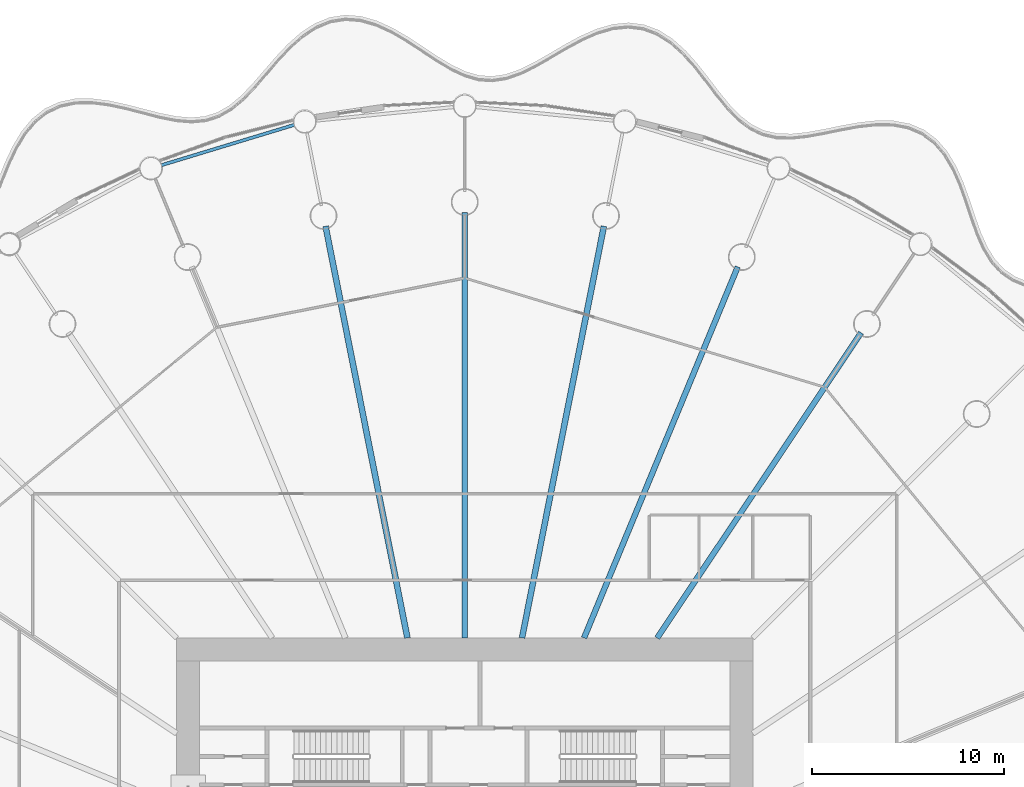
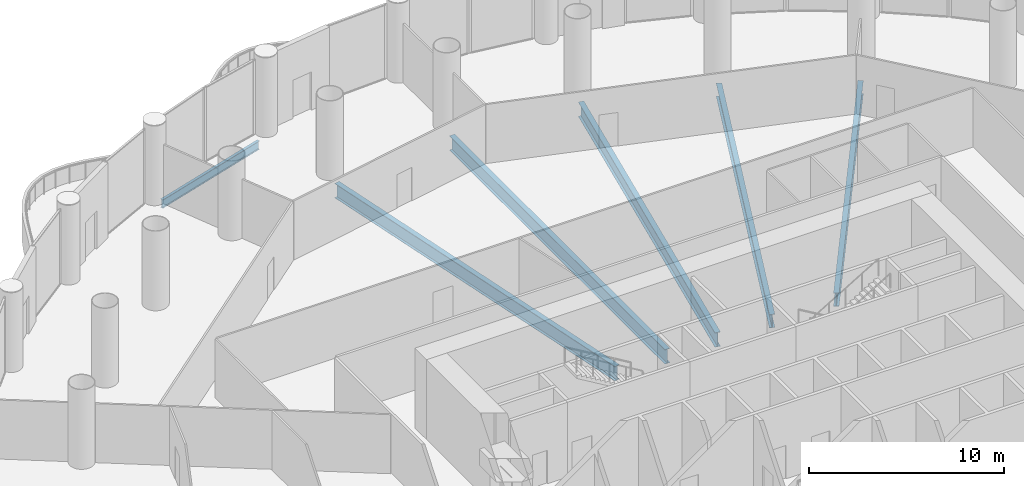
# One storey, part 16 of 38: 6 beams.
"""IFC4 building model written with IfcOpenShell, lengths in metres."""

from ifc_helpers import new_model, si_unit, direction, frame, origin, origin_2d, place, context, subcontext, project, spatial, i_section, extrude, material, material_profile, profile_set, type_object, element, save


model = new_model("IFC4")

# Units and contexts
model_context = context("Model", 3, precision=1e-05, world=origin(), true_north=direction((0.0, 1.0)))
body_context = subcontext(model_context, "Body", "Model", "MODEL_VIEW")
ifc_project = project(units=[si_unit("LENGTHUNIT", "METRE"), si_unit("AREAUNIT", "SQUARE_METRE"), si_unit("VOLUMEUNIT", "CUBIC_METRE"), si_unit("PLANEANGLEUNIT", "RADIAN"), si_unit("MASSUNIT", "GRAM", prefix="KILO")], contexts=[model_context])

# Site, building, storey
site_placement = place(None, origin())
site = spatial("IfcSite", under=ifc_project, at=site_placement, CompositionType="ELEMENT")
building_placement = place(site_placement, origin())
building = spatial("IfcBuilding", under=site, at=building_placement, Name="Corvane Civic Tower", CompositionType="ELEMENT")
storey_placement = place(building_placement, frame((0.0, 0.0, 32.0)))
storey = spatial("IfcBuildingStorey", under=building, at=storey_placement, Name="L06", CompositionType="ELEMENT", Elevation=32.0)

# Beams
ifc_material_1 = material(Name="Steel ASTM A992 Gr 50", Category="steel")
ifc_material_profile_1 = material_profile(ifc_material_1, i_section(OverallWidth=0.165771484375, OverallDepth=0.5283203125, WebThickness=0.009765625, FlangeThickness=0.013671875, at=origin_2d()), Name="W21X50")
ifc_profile_set_1 = profile_set([ifc_material_profile_1], Name="Steel ASTM A992 Gr 50")
beam_type_1 = type_object("IfcBeamType", Name="EDGE BEAM W21X50", PredefinedType="BEAM", material=ifc_profile_set_1)
beam_1_placement = place(storey_placement, frame((-15.814208984375, 39.609375, -0.564208984375), z_axis=(0.956938225664, 0.290291633127, 0.0), x_axis=(-0.290291633127, 0.956938225664, 0.0)))
element("IfcBeam", 1, at=beam_1_placement, inside=storey, type_object=beam_type_1, Name="BM-L06-E31", PredefinedType="BEAM", context=body_context, shape_type="SweptSolid", body=[
    extrude(i_section(OverallWidth=0.165771484375, OverallDepth=0.5283203125, WebThickness=0.009765625, FlangeThickness=0.013671875, at=origin_2d()), origin(), (0.0, 0.0, 1.0), 7.2705078125),
])
ifc_material_2 = material(Name="Steel ASTM A992 Gr 50", Category="steel")
ifc_material_profile_2 = material_profile(ifc_material_2, i_section(OverallWidth=0.2919921875, OverallDepth=0.845703125, WebThickness=0.015380859375, FlangeThickness=0.0244140625, at=origin_2d()), Name="W33X141")
ifc_profile_set_2 = profile_set([ifc_material_profile_2], Name="Steel ASTM A992 Gr 50")
beam_type_2 = type_object("IfcBeamType", Name="FLOOR GIRDER W33X141", PredefinedType="BEAM", material=ifc_profile_set_2)
beam_2_placement = place(storey_placement, frame((6.213134765625, 15.0, -0.722900390625), z_axis=(0.382692360381, 0.923875834355, 0.0), x_axis=(-0.923875834355, 0.382692360381, 0.0)))
element("IfcBeam", 2, at=beam_2_placement, inside=storey, type_object=beam_type_2, Name="BM-L06-G03", PredefinedType="BEAM", context=body_context, shape_type="SweptSolid", body=[
    extrude(i_section(OverallWidth=0.2919921875, OverallDepth=0.845703125, WebThickness=0.015380859375, FlangeThickness=0.0244140625, at=origin_2d()), origin(), (0.0, 0.0, 1.0), 20.9140625),
])
beam_3_placement = place(storey_placement, frame((10.022705078125, 15.0, -0.722900390625), z_axis=(0.555566681385, 0.831471985418, 0.0), x_axis=(-0.831471985418, 0.555566681385, 0.0)))
element("IfcBeam", 3, at=beam_3_placement, inside=storey, type_object=beam_type_2, Name="BM-L06-G04", PredefinedType="BEAM", context=body_context, shape_type="SweptSolid", body=[
    extrude(i_section(OverallWidth=0.2919921875, OverallDepth=0.845703125, WebThickness=0.015380859375, FlangeThickness=0.0244140625, at=origin_2d()), origin(), (0.0, 0.0, 1.0), 19.109619140625),
])
ifc_material_3 = material(Name="Steel ASTM A992 Gr 50", Category="steel")
ifc_material_profile_3 = material_profile(ifc_material_3, i_section(OverallWidth=0.3046875, OverallDepth=0.911865234375, WebThickness=0.015869140625, FlangeThickness=0.02392578125, at=origin_2d()), Name="W36X150")
ifc_profile_set_3 = profile_set([ifc_material_profile_3], Name="Steel ASTM A992 Gr 50")
beam_type_3 = type_object("IfcBeamType", Name="FLOOR GIRDER W36X150", PredefinedType="BEAM", material=ifc_profile_set_3)
beam_4_placement = place(storey_placement, frame((0.0, 15.0, -0.755859375), z_axis=(0.0, 1.0, 0.0), x_axis=(-1.0, 0.0, 0.0)))
element("IfcBeam", 4, at=beam_4_placement, inside=storey, type_object=beam_type_3, Name="BM-L06-G01", PredefinedType="BEAM", context=body_context, shape_type="SweptSolid", body=[
    extrude(i_section(OverallWidth=0.3046875, OverallDepth=0.911865234375, WebThickness=0.015869140625, FlangeThickness=0.02392578125, at=origin_2d()), origin(), (0.0, 0.0, 1.0), 22.14990234375),
])
for number, where, z_axis, x_axis, name in (
    (5, (2.983642578125, 15.0, -0.755859375), (0.195089219638, 0.980785499679, 0.0), (-0.980785499679, 0.195089219638, 0.0), "BM-L06-G02"),
    (6, (-2.983642578125, 15.0, -0.755859375), (-0.195089219638, 0.980785499679, 0.0), (-0.980785499679, -0.195089219638, 0.0), "BM-L06-G32"),
):
    element("IfcBeam", number, at=place(storey_placement, frame(where, z_axis=z_axis, x_axis=x_axis)), inside=storey, type_object=beam_type_3, Name=name, PredefinedType="BEAM", context=body_context, shape_type="SweptSolid", body=[
        extrude(i_section(OverallWidth=0.3046875, OverallDepth=0.911865234375, WebThickness=0.015869140625, FlangeThickness=0.02392578125, at=origin_2d()), origin(), (0.0, 0.0, 1.0), 21.856201171875),
    ])

save(model, "model.ifc")
